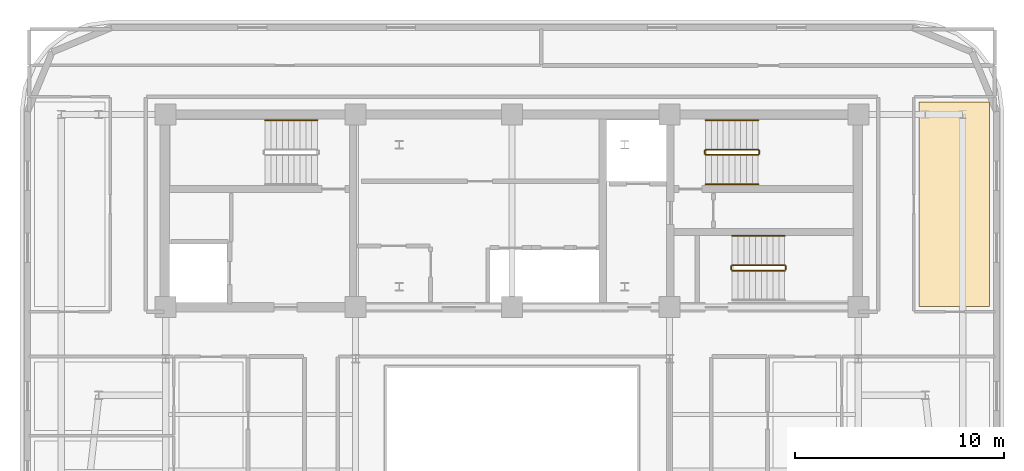
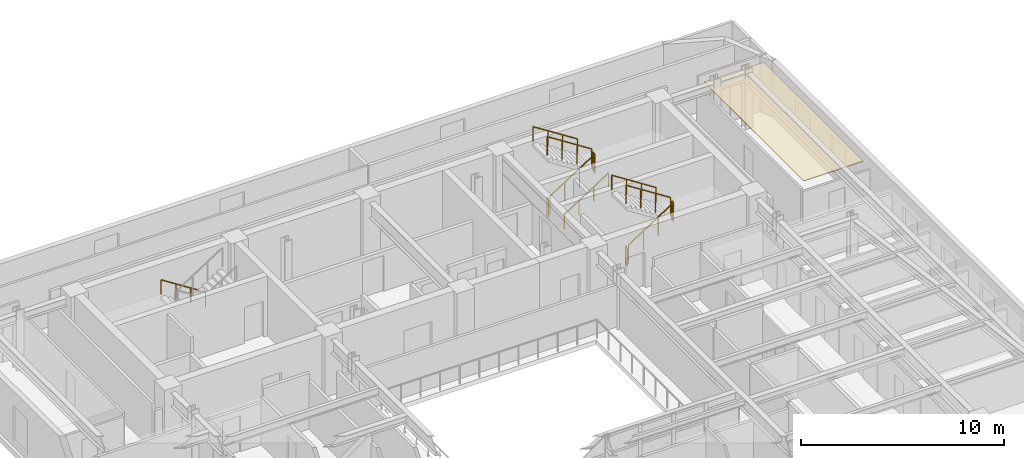
# One storey, part 14 of 14: 12 railings, 1 covering.
"""IFC4 building model written with IfcOpenShell, lengths in metres."""

from ifc_helpers import new_model, si_unit, direction, frame, origin, origin_2d, place, context, subcontext, project, spatial, polyline, rectangle, outline, extrude, material, layer, layer_set, type_object, element, save


model = new_model("IFC4")

# Units and contexts
model_context = context("Model", 3, precision=1e-05, world=origin(), true_north=direction((0.0, 1.0)))
body_context = subcontext(model_context, "Body", "Model", "MODEL_VIEW")
ifc_project = project(units=[si_unit("LENGTHUNIT", "METRE"), si_unit("AREAUNIT", "SQUARE_METRE"), si_unit("VOLUMEUNIT", "CUBIC_METRE"), si_unit("PLANEANGLEUNIT", "RADIAN"), si_unit("MASSUNIT", "GRAM", prefix="KILO")], contexts=[model_context])

# Site, building, storey
site_placement = place(None, origin())
site = spatial("IfcSite", under=ifc_project, at=site_placement, CompositionType="ELEMENT")
building_placement = place(site_placement, origin())
building = spatial("IfcBuilding", under=site, at=building_placement, Name="Zarnavel Station Tower", CompositionType="ELEMENT")
storey_placement = place(building_placement, frame((0.0, 0.0, 225.60009765625)))
storey = spatial("IfcBuildingStorey", under=building, at=storey_placement, Name="L61", CompositionType="ELEMENT", Elevation=225.60009765625)

# Covering
ifc_material_1 = material(Name="Perforated Gypsum and Mineral-Wool Acoustic Ceiling", Category="concrete")
ifc_layer = layer(ifc_material_1, 0.0400390625)
ifc_layer_set = layer_set([ifc_layer], Name="COV_CEIL_ACOUSTIC")
covering_type = type_object("IfcCoveringType", Name="COV_CEIL_ACOUSTIC", PredefinedType="CEILING", material=ifc_layer_set)
covering_placement = place(storey_placement, frame((0.0, 0.0, 3.02001953125)))
element("IfcCovering", 1, at=covering_placement, inside=storey, type_object=covering_type, Name="L61 FNE Acoustic Ceiling", PredefinedType="CEILING", context=body_context, shape_type="SweptSolid", body=[
    extrude(outline(polyline([(48.300048828125, 27.85009765625), (51.68994140625, 27.85009765625), (51.68994140625, 37.64990234375), (48.300048828125, 37.64990234375), (48.300048828125, 27.85009765625)])), origin(), (0.0, 0.0, 1.0), 0.039794921875),
])

# Railings
ifc_material_2 = material(Name="Painted Steel S355J2 Balustrade", Category="steel")
railing_type_1 = type_object("IfcRailingType", Name="GR_INT_1150", PredefinedType="GUARDRAIL", material=ifc_material_2)
railing_1_placement = place(storey_placement, frame((38.080078125, 35.110107421875, 0.179931640625)))
element("IfcRailing", 2, at=railing_1_placement, inside=storey, type_object=railing_type_1, Name="L61 ST2 stair guard 1", PredefinedType="GUARDRAIL", context=body_context, shape_type="SweptSolid", body=[
    extrude(rectangle(XDim=0.048095703125, YDim=0.048095703125, at=origin_2d()), frame((0.001708984375, 0.0, 1.126953125), z_axis=(0.841199657755, 0.0, 0.540724639528), x_axis=(0.0, 1.0, 0.0)), (0.0, 0.0, 1.0), 2.99169921875),
    extrude(rectangle(XDim=0.0419921875, YDim=0.0419921875, at=origin_2d()), origin(), (0.0, 0.0, 1.0), 1.101806640625),
    extrude(rectangle(XDim=0.0419921875, YDim=0.0419921875, at=origin_2d()), frame((0.840087890625, 0.0, 0.5400390625)), (0.0, 0.0, 1.0), 1.101806640625),
    extrude(rectangle(XDim=0.0419921875, YDim=0.0419921875, at=origin_2d()), frame((1.679931640625, 0.0, 1.079833984375)), (0.0, 0.0, 1.0), 1.101806640625),
    extrude(rectangle(XDim=0.0419921875, YDim=0.0419921875, at=origin_2d()), frame((2.52001953125, 0.0, 1.619873046875)), (0.0, 0.0, 1.0), 1.101806640625),
])
railing_2_placement = place(storey_placement, frame((40.64990234375, 35.159912109375, 1.7998046875)))
element("IfcRailing", 3, at=railing_2_placement, inside=storey, type_object=railing_type_1, Name="L61 ST2 stair guard 2", PredefinedType="GUARDRAIL", context=body_context, shape_type="SweptSolid", body=[
    extrude(rectangle(XDim=0.048095703125, YDim=0.048095703125, at=origin_2d()), frame((0.0, 0.001953125, 1.1259765625), z_axis=(0.0, 1.0, 0.0), x_axis=(-1.0, 0.0, 0.0)), (0.0, 0.0, 1.0), 0.15625),
    extrude(rectangle(XDim=0.0419921875, YDim=0.0419921875, at=origin_2d()), origin(), (0.0, 0.0, 1.0), 1.101806640625),
    extrude(rectangle(XDim=0.0419921875, YDim=0.0419921875, at=origin_2d()), frame((0.0, 0.16015625, 0.0)), (0.0, 0.0, 1.0), 1.101806640625),
])
railing_3_placement = place(storey_placement, frame((40.60009765625, 35.3701171875, 1.97998046875)))
element("IfcRailing", 4, at=railing_3_placement, inside=storey, type_object=railing_type_1, Name="L61 ST2 stair guard 3", PredefinedType="GUARDRAIL", context=body_context, shape_type="SweptSolid", body=[
    extrude(rectangle(XDim=0.048095703125, YDim=0.048095703125, at=origin_2d()), frame((-0.001708984375, 0.0, 1.126953125), z_axis=(-0.841199657755, 0.0, 0.540724639528), x_axis=(0.0, -1.0, 0.0)), (0.0, 0.0, 1.0), 2.99169921875),
    extrude(rectangle(XDim=0.0419921875, YDim=0.0419921875, at=origin_2d()), origin(), (0.0, 0.0, 1.0), 1.101806640625),
    extrude(rectangle(XDim=0.0419921875, YDim=0.0419921875, at=origin_2d()), frame((-0.840087890625, 0.0, 0.5400390625)), (0.0, 0.0, 1.0), 1.101806640625),
    extrude(rectangle(XDim=0.0419921875, YDim=0.0419921875, at=origin_2d()), frame((-1.679931640625, 0.0, 1.079833984375)), (0.0, 0.0, 1.0), 1.101806640625),
    extrude(rectangle(XDim=0.0419921875, YDim=0.0419921875, at=origin_2d()), frame((-2.52001953125, 0.0, 1.619873046875)), (0.0, 0.0, 1.0), 1.101806640625),
])
railing_4_placement = place(storey_placement, frame((38.030029296875, 35.159912109375, 0.0)))
element("IfcRailing", 5, at=railing_4_placement, inside=storey, type_object=railing_type_1, Name="L61 ST2 stair guard 4", PredefinedType="GUARDRAIL", context=body_context, shape_type="SweptSolid", body=[
    extrude(rectangle(XDim=0.048095703125, YDim=0.048095703125, at=origin_2d()), frame((0.0, 0.001953125, 1.1259765625), z_axis=(0.0, 1.0, 0.0), x_axis=(-1.0, 0.0, 0.0)), (0.0, 0.0, 1.0), 0.15625),
    extrude(rectangle(XDim=0.0419921875, YDim=0.0419921875, at=origin_2d()), origin(), (0.0, 0.0, 1.0), 1.101806640625),
    extrude(rectangle(XDim=0.0419921875, YDim=0.0419921875, at=origin_2d()), frame((0.0, 0.16015625, 0.0)), (0.0, 0.0, 1.0), 1.101806640625),
])
railing_5_placement = place(storey_placement, frame((39.35009765625, 29.570068359375, 0.179931640625)))
element("IfcRailing", 6, at=railing_5_placement, inside=storey, type_object=railing_type_1, Name="L61 ST3 stair guard 1", PredefinedType="GUARDRAIL", context=body_context, shape_type="SweptSolid", body=[
    extrude(rectangle(XDim=0.048095703125, YDim=0.048095703125, at=origin_2d()), frame((0.001708984375, 0.0, 1.126953125), z_axis=(0.841199657755, 0.0, 0.540724639528), x_axis=(0.0, 1.0, 0.0)), (0.0, 0.0, 1.0), 2.99169921875),
    extrude(rectangle(XDim=0.0419921875, YDim=0.0419921875, at=origin_2d()), origin(), (0.0, 0.0, 1.0), 1.101806640625),
    extrude(rectangle(XDim=0.0419921875, YDim=0.0419921875, at=origin_2d()), frame((0.840087890625, 0.0, 0.5400390625)), (0.0, 0.0, 1.0), 1.101806640625),
    extrude(rectangle(XDim=0.0419921875, YDim=0.0419921875, at=origin_2d()), frame((1.679931640625, 0.0, 1.079833984375)), (0.0, 0.0, 1.0), 1.101806640625),
    extrude(rectangle(XDim=0.0419921875, YDim=0.0419921875, at=origin_2d()), frame((2.52001953125, 0.0, 1.619873046875)), (0.0, 0.0, 1.0), 1.101806640625),
])
railing_6_placement = place(storey_placement, frame((41.919921875, 29.6201171875, 1.7998046875)))
element("IfcRailing", 7, at=railing_6_placement, inside=storey, type_object=railing_type_1, Name="L61 ST3 stair guard 2", PredefinedType="GUARDRAIL", context=body_context, shape_type="SweptSolid", body=[
    extrude(rectangle(XDim=0.048095703125, YDim=0.048095703125, at=origin_2d()), frame((0.0, 0.001953125, 1.1259765625), z_axis=(0.0, 1.0, 0.0), x_axis=(-1.0, 0.0, 0.0)), (0.0, 0.0, 1.0), 0.156005859375),
    extrude(rectangle(XDim=0.0419921875, YDim=0.0419921875, at=origin_2d()), origin(), (0.0, 0.0, 1.0), 1.101806640625),
    extrude(rectangle(XDim=0.0419921875, YDim=0.0419921875, at=origin_2d()), frame((0.0, 0.159912109375, 0.0)), (0.0, 0.0, 1.0), 1.101806640625),
])
railing_7_placement = place(storey_placement, frame((41.8701171875, 29.830078125, 1.97998046875)))
element("IfcRailing", 8, at=railing_7_placement, inside=storey, type_object=railing_type_1, Name="L61 ST3 stair guard 3", PredefinedType="GUARDRAIL", context=body_context, shape_type="SweptSolid", body=[
    extrude(rectangle(XDim=0.048095703125, YDim=0.048095703125, at=origin_2d()), frame((-0.001708984375, 0.0, 1.126953125), z_axis=(-0.841199657755, 0.0, 0.540724639528), x_axis=(0.0, -1.0, 0.0)), (0.0, 0.0, 1.0), 2.99169921875),
    extrude(rectangle(XDim=0.0419921875, YDim=0.0419921875, at=origin_2d()), origin(), (0.0, 0.0, 1.0), 1.101806640625),
    extrude(rectangle(XDim=0.0419921875, YDim=0.0419921875, at=origin_2d()), frame((-0.840087890625, 0.0, 0.5400390625)), (0.0, 0.0, 1.0), 1.101806640625),
    extrude(rectangle(XDim=0.0419921875, YDim=0.0419921875, at=origin_2d()), frame((-1.679931640625, 0.0, 1.079833984375)), (0.0, 0.0, 1.0), 1.101806640625),
    extrude(rectangle(XDim=0.0419921875, YDim=0.0419921875, at=origin_2d()), frame((-2.52001953125, 0.0, 1.619873046875)), (0.0, 0.0, 1.0), 1.101806640625),
])
railing_8_placement = place(storey_placement, frame((39.300048828125, 29.6201171875, 0.0)))
element("IfcRailing", 9, at=railing_8_placement, inside=storey, type_object=railing_type_1, Name="L61 ST3 stair guard 4", PredefinedType="GUARDRAIL", context=body_context, shape_type="SweptSolid", body=[
    extrude(rectangle(XDim=0.048095703125, YDim=0.048095703125, at=origin_2d()), frame((0.0, 0.001953125, 1.1259765625), z_axis=(0.0, 1.0, 0.0), x_axis=(-1.0, 0.0, 0.0)), (0.0, 0.0, 1.0), 0.156005859375),
    extrude(rectangle(XDim=0.0419921875, YDim=0.0419921875, at=origin_2d()), origin(), (0.0, 0.0, 1.0), 1.101806640625),
    extrude(rectangle(XDim=0.0419921875, YDim=0.0419921875, at=origin_2d()), frame((0.0, 0.159912109375, 0.0)), (0.0, 0.0, 1.0), 1.101806640625),
])
ifc_material_3 = material(Name="Brushed Stainless Steel S355J2 Handrail", Category="steel")
railing_type_2 = type_object("IfcRailingType", Name="HR_STAIR_900", PredefinedType="HANDRAIL", material=ifc_material_3)
railing_9_placement = place(storey_placement, frame((19.47998046875, 36.77001953125, 0.179931640625)))
element("IfcRailing", 10, at=railing_9_placement, inside=storey, type_object=railing_type_2, Name="L61 ST1 stair handrail 1", PredefinedType="HANDRAIL", context=body_context, shape_type="SweptSolid", body=[
    extrude(rectangle(XDim=0.048095703125, YDim=0.048095703125, at=origin_2d()), frame((-0.001708984375, 0.0, 0.876953125), z_axis=(-0.841199657755, 0.0, 0.540724639528), x_axis=(0.0, -1.0, 0.0)), (0.0, 0.0, 1.0), 2.99169921875),
    extrude(rectangle(XDim=0.0419921875, YDim=0.0419921875, at=origin_2d()), origin(), (0.0, 0.0, 1.0), 0.851806640625),
    extrude(rectangle(XDim=0.0419921875, YDim=0.0419921875, at=origin_2d()), frame((-0.840087890625, 0.0, 0.5400390625)), (0.0, 0.0, 1.0), 0.851806640625),
    extrude(rectangle(XDim=0.0419921875, YDim=0.0419921875, at=origin_2d()), frame((-1.679931640625, 0.0, 1.079833984375)), (0.0, 0.0, 1.0), 0.851806640625),
    extrude(rectangle(XDim=0.0419921875, YDim=0.0419921875, at=origin_2d()), frame((-2.52001953125, 0.0, 1.619873046875)), (0.0, 0.0, 1.0), 0.851806640625),
])
railing_10_placement = place(storey_placement, frame((38.080078125, 33.7099609375, 0.179931640625)))
element("IfcRailing", 11, at=railing_10_placement, inside=storey, type_object=railing_type_2, Name="L61 ST2 stair handrail 1", PredefinedType="HANDRAIL", context=body_context, shape_type="SweptSolid", body=[
    extrude(rectangle(XDim=0.048095703125, YDim=0.048095703125, at=origin_2d()), frame((0.001708984375, 0.0, 0.876953125), z_axis=(0.841199657755, 0.0, 0.540724639528), x_axis=(0.0, 1.0, 0.0)), (0.0, 0.0, 1.0), 2.99169921875),
    extrude(rectangle(XDim=0.0419921875, YDim=0.0419921875, at=origin_2d()), origin(), (0.0, 0.0, 1.0), 0.851806640625),
    extrude(rectangle(XDim=0.0419921875, YDim=0.0419921875, at=origin_2d()), frame((0.840087890625, 0.0, 0.5400390625)), (0.0, 0.0, 1.0), 0.851806640625),
    extrude(rectangle(XDim=0.0419921875, YDim=0.0419921875, at=origin_2d()), frame((1.679931640625, 0.0, 1.079833984375)), (0.0, 0.0, 1.0), 0.851806640625),
    extrude(rectangle(XDim=0.0419921875, YDim=0.0419921875, at=origin_2d()), frame((2.52001953125, 0.0, 1.619873046875)), (0.0, 0.0, 1.0), 0.851806640625),
])
for number, where, name in (
    (12, (40.60009765625, 36.77001953125, 1.97998046875), "L61 ST2 stair handrail 2"),
    (13, (41.8701171875, 31.22998046875, 1.97998046875), "L61 ST3 stair handrail 2"),
):
    element("IfcRailing", number, at=place(storey_placement, frame(where)), inside=storey, type_object=railing_type_2, Name=name, PredefinedType="HANDRAIL", context=body_context, shape_type="SweptSolid", body=[
        extrude(rectangle(XDim=0.048095703125, YDim=0.048095703125, at=origin_2d()), frame((-0.001708984375, 0.0, 0.876953125), z_axis=(-0.841199657755, 0.0, 0.540724639528), x_axis=(0.0, -1.0, 0.0)), (0.0, 0.0, 1.0), 2.99169921875),
        extrude(rectangle(XDim=0.0419921875, YDim=0.0419921875, at=origin_2d()), origin(), (0.0, 0.0, 1.0), 0.851806640625),
        extrude(rectangle(XDim=0.0419921875, YDim=0.0419921875, at=origin_2d()), frame((-0.840087890625, 0.0, 0.5400390625)), (0.0, 0.0, 1.0), 0.851806640625),
        extrude(rectangle(XDim=0.0419921875, YDim=0.0419921875, at=origin_2d()), frame((-1.679931640625, 0.0, 1.079833984375)), (0.0, 0.0, 1.0), 0.851806640625),
        extrude(rectangle(XDim=0.0419921875, YDim=0.0419921875, at=origin_2d()), frame((-2.52001953125, 0.0, 1.619873046875)), (0.0, 0.0, 1.0), 0.851806640625),
    ])

save(model, "model.ifc")
